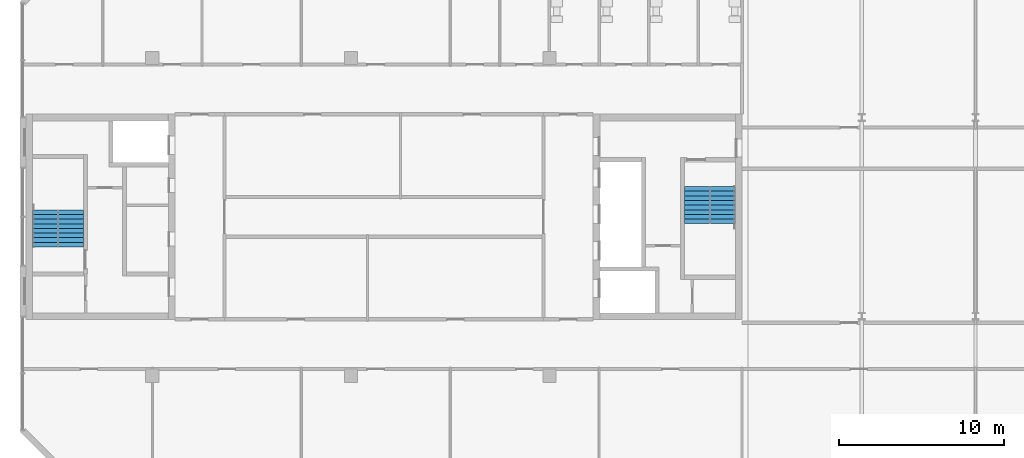
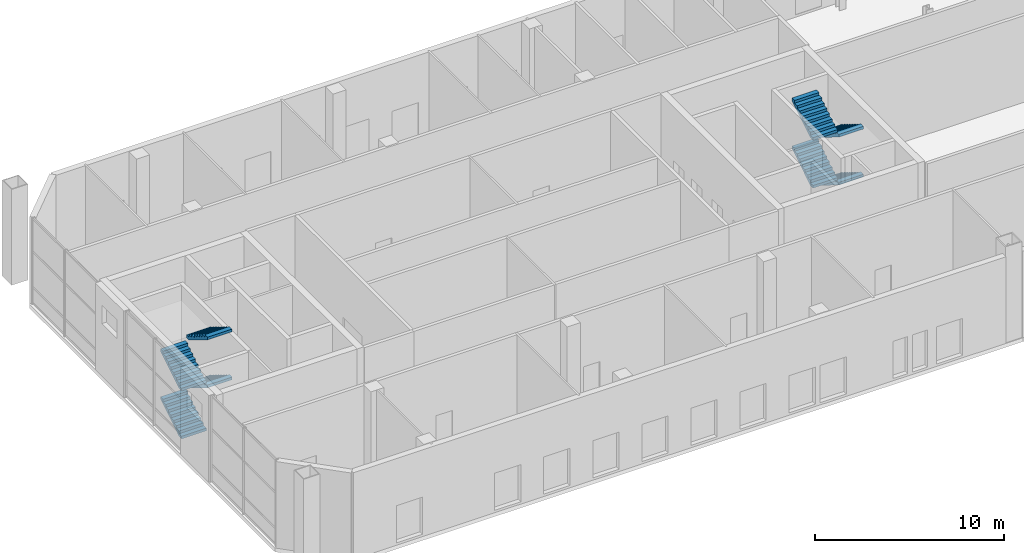
# One storey, part 18 of 20: 8 stair flights, 2 elements without a shape of their own.
"""IFC4 building model written with IfcOpenShell, lengths in metres."""

from ifc_helpers import new_model, si_unit, direction, frame, origin, place, context, subcontext, project, spatial, faceted_brep, material, type_object, element, aggregate, save


model = new_model("IFC4")

# Units and contexts
model_context = context("Model", 3, precision=1e-05, world=origin(), true_north=direction((0.0, 1.0)))
body_context = subcontext(model_context, "Body", "Model", "MODEL_VIEW")
ifc_project = project(units=[si_unit("LENGTHUNIT", "METRE"), si_unit("AREAUNIT", "SQUARE_METRE"), si_unit("VOLUMEUNIT", "CUBIC_METRE"), si_unit("PLANEANGLEUNIT", "RADIAN"), si_unit("MASSUNIT", "GRAM", prefix="KILO")], contexts=[model_context])

# Site, building, storey
site_placement = place(None, origin())
site = spatial("IfcSite", under=ifc_project, at=site_placement, CompositionType="ELEMENT")
building_placement = place(site_placement, origin())
building = spatial("IfcBuilding", under=site, at=building_placement, Name="Tuart Gate Housing", CompositionType="ELEMENT")
storey_placement = place(building_placement, frame((0.0, 0.0, 215.199951171875)))
storey = spatial("IfcBuildingStorey", under=building, at=storey_placement, Name="L61", CompositionType="ELEMENT", Elevation=215.199951171875)

# Stair, stair flights
ifc_material_1 = material(Name="Concrete C40", Category="concrete")
stair_type = type_object("IfcStairType", Name="Core stair 1500", PredefinedType="HALF_TURN_STAIR", material=ifc_material_1)
stair_1_placement = place(storey_placement, origin())
stair_1 = element("IfcStair", 1, at=stair_1_placement, inside=storey, type_object=stair_type, Name="Stair SA1", PredefinedType="HALF_TURN_STAIR")
ifc_material_2 = material(Name="Concrete C40", Category="concrete")
stair_flight_type = type_object("IfcStairFlightType", Name="Stair flight 1500, 9 risers 172 x 280", PredefinedType="STRAIGHT", material=ifc_material_2)
stair_flight_1_placement = place(storey_placement, frame((74.489990234375, 71.824951171875, 0.0), z_axis=(0.0, 0.0, 1.0), x_axis=(0.0, -1.0, 0.0)))
stair_flight_1 = element("IfcStairFlight", 2, at=stair_flight_1_placement, type_object=stair_flight_type, Name="SA1 flight 1", NumberOfRisers=9, NumberOfTreads=8, PredefinedType="STRAIGHT", RiserHeight=0.172222222, TreadLength=0.28, context=body_context, shape_type="Brep", body=[
    faceted_brep([(0.0, 0.75, 0.0), (0.0, 0.75, 0.172119140625), (0.280029296875, 0.75, 0.172119140625), (0.280029296875, 0.75, 0.344482421875), (0.56005859375, 0.75, 0.344482421875), (0.56005859375, 0.75, 0.5166015625), (0.840087890625, 0.75, 0.5166015625), (0.840087890625, 0.75, 0.68896484375), (1.1201171875, 0.75, 0.68896484375), (1.1201171875, 0.75, 0.861083984375), (1.39990234375, 0.75, 0.861083984375), (1.39990234375, 0.75, 1.033447265625), (1.679931640625, 0.75, 1.033447265625), (1.679931640625, 0.75, 1.20556640625), (1.9599609375, 0.75, 1.20556640625), (1.9599609375, 0.75, 1.377685546875), (2.239990234375, 0.75, 1.377685546875), (2.239990234375, 0.75, 1.201904296875), (0.2861328125, 0.75, 0.0), (0.2861328125, -0.75, 0.0), (2.239990234375, -0.75, 1.201904296875), (2.239990234375, -0.75, 1.377685546875), (1.9599609375, -0.75, 1.377685546875), (1.9599609375, -0.75, 1.20556640625), (1.679931640625, -0.75, 1.20556640625), (1.679931640625, -0.75, 1.033447265625), (1.39990234375, -0.75, 1.033447265625), (1.39990234375, -0.75, 0.861083984375), (1.1201171875, -0.75, 0.861083984375), (1.1201171875, -0.75, 0.68896484375), (0.840087890625, -0.75, 0.68896484375), (0.840087890625, -0.75, 0.5166015625), (0.56005859375, -0.75, 0.5166015625), (0.56005859375, -0.75, 0.344482421875), (0.280029296875, -0.75, 0.344482421875), (0.280029296875, -0.75, 0.172119140625), (0.0, -0.75, 0.172119140625), (0.0, -0.75, 0.0), (2.239990234375, 0.0, 1.201904296875), (0.2861328125, 0.0, 0.0), (2.239990234375, 0.0, 1.377685546875), (1.9599609375, 0.0, 1.377685546875), (1.9599609375, 0.0, 1.20556640625), (1.679931640625, 0.0, 1.20556640625), (1.679931640625, 0.0, 1.033447265625), (1.39990234375, 0.0, 1.033447265625), (1.39990234375, 0.0, 0.861083984375), (1.1201171875, 0.0, 0.861083984375), (1.1201171875, 0.0, 0.68896484375), (0.840087890625, 0.0, 0.68896484375), (0.840087890625, 0.0, 0.5166015625), (0.56005859375, 0.0, 0.5166015625), (0.56005859375, 0.0, 0.344482421875), (0.280029296875, 0.0, 0.344482421875), (0.280029296875, 0.0, 0.172119140625), (0.0, 0.0, 0.172119140625), (0.0, 0.0, 0.0)], [[[0, 1, 2, 3, 4, 5, 6, 7, 8, 9, 10, 11, 12, 13, 14, 15, 16, 17, 18]], [[19, 20, 21, 22, 23, 24, 25, 26, 27, 28, 29, 30, 31, 32, 33, 34, 35, 36, 37]], [[18, 17, 38, 39]], [[39, 38, 20, 19]], [[17, 16, 40, 38]], [[38, 40, 21, 20]], [[16, 15, 41, 40]], [[40, 41, 22, 21]], [[15, 14, 42, 41]], [[41, 42, 23, 22]], [[14, 13, 43, 42]], [[42, 43, 24, 23]], [[13, 12, 44, 43]], [[43, 44, 25, 24]], [[12, 11, 45, 44]], [[44, 45, 26, 25]], [[11, 10, 46, 45]], [[45, 46, 27, 26]], [[10, 9, 47, 46]], [[46, 47, 28, 27]], [[9, 8, 48, 47]], [[47, 48, 29, 28]], [[8, 7, 49, 48]], [[48, 49, 30, 29]], [[7, 6, 50, 49]], [[49, 50, 31, 30]], [[6, 5, 51, 50]], [[50, 51, 32, 31]], [[5, 4, 52, 51]], [[51, 52, 33, 32]], [[4, 3, 53, 52]], [[52, 53, 34, 33]], [[3, 2, 54, 53]], [[53, 54, 35, 34]], [[2, 1, 55, 54]], [[54, 55, 36, 35]], [[1, 0, 56, 55]], [[55, 56, 37, 36]], [[0, 18, 39, 56]], [[56, 39, 19, 37]]]),
])
stair_flight_2_placement = place(storey_placement, frame((72.9150390625, 69.5849609375, 1.550048828125), z_axis=(0.0, 0.0, 1.0), x_axis=(0.0, 1.0, 0.0)))
stair_flight_2 = element("IfcStairFlight", 3, at=stair_flight_2_placement, type_object=stair_flight_type, Name="SA1 flight 2", NumberOfRisers=9, NumberOfTreads=8, PredefinedType="STRAIGHT", RiserHeight=0.172222222, TreadLength=0.28, context=body_context, shape_type="Brep", body=[
    faceted_brep([(0.0, 0.75, 0.0), (0.0, 0.75, 0.172119140625), (0.280029296875, 0.75, 0.172119140625), (0.280029296875, 0.75, 0.344482421875), (0.56005859375, 0.75, 0.344482421875), (0.56005859375, 0.75, 0.5166015625), (0.840087890625, 0.75, 0.5166015625), (0.840087890625, 0.75, 0.68896484375), (1.1201171875, 0.75, 0.68896484375), (1.1201171875, 0.75, 0.861083984375), (1.39990234375, 0.75, 0.861083984375), (1.39990234375, 0.75, 1.033447265625), (1.679931640625, 0.75, 1.033447265625), (1.679931640625, 0.75, 1.20556640625), (1.9599609375, 0.75, 1.20556640625), (1.9599609375, 0.75, 1.377685546875), (2.239990234375, 0.75, 1.377685546875), (2.239990234375, 0.75, 1.201904296875), (0.2861328125, 0.75, 0.0), (0.2861328125, -0.75, 0.0), (2.239990234375, -0.75, 1.201904296875), (2.239990234375, -0.75, 1.377685546875), (1.9599609375, -0.75, 1.377685546875), (1.9599609375, -0.75, 1.20556640625), (1.679931640625, -0.75, 1.20556640625), (1.679931640625, -0.75, 1.033447265625), (1.39990234375, -0.75, 1.033447265625), (1.39990234375, -0.75, 0.861083984375), (1.1201171875, -0.75, 0.861083984375), (1.1201171875, -0.75, 0.68896484375), (0.840087890625, -0.75, 0.68896484375), (0.840087890625, -0.75, 0.5166015625), (0.56005859375, -0.75, 0.5166015625), (0.56005859375, -0.75, 0.344482421875), (0.280029296875, -0.75, 0.344482421875), (0.280029296875, -0.75, 0.172119140625), (0.0, -0.75, 0.172119140625), (0.0, -0.75, 0.0), (2.239990234375, 0.0, 1.201904296875), (0.2861328125, 0.0, 0.0), (2.239990234375, 0.0, 1.377685546875), (1.9599609375, 0.0, 1.377685546875), (1.9599609375, 0.0, 1.20556640625), (1.679931640625, 0.0, 1.20556640625), (1.679931640625, 0.0, 1.033447265625), (1.39990234375, 0.0, 1.033447265625), (1.39990234375, 0.0, 0.861083984375), (1.1201171875, 0.0, 0.861083984375), (1.1201171875, 0.0, 0.68896484375), (0.840087890625, 0.0, 0.68896484375), (0.840087890625, 0.0, 0.5166015625), (0.56005859375, 0.0, 0.5166015625), (0.56005859375, 0.0, 0.344482421875), (0.280029296875, 0.0, 0.344482421875), (0.280029296875, 0.0, 0.172119140625), (0.0, 0.0, 0.172119140625), (0.0, 0.0, 0.0)], [[[0, 1, 2, 3, 4, 5, 6, 7, 8, 9, 10, 11, 12, 13, 14, 15, 16, 17, 18]], [[19, 20, 21, 22, 23, 24, 25, 26, 27, 28, 29, 30, 31, 32, 33, 34, 35, 36, 37]], [[18, 17, 38, 39]], [[39, 38, 20, 19]], [[17, 16, 40, 38]], [[38, 40, 21, 20]], [[16, 15, 41, 40]], [[40, 41, 22, 21]], [[15, 14, 42, 41]], [[41, 42, 23, 22]], [[14, 13, 43, 42]], [[42, 43, 24, 23]], [[13, 12, 44, 43]], [[43, 44, 25, 24]], [[12, 11, 45, 44]], [[44, 45, 26, 25]], [[11, 10, 46, 45]], [[45, 46, 27, 26]], [[10, 9, 47, 46]], [[46, 47, 28, 27]], [[9, 8, 48, 47]], [[47, 48, 29, 28]], [[8, 7, 49, 48]], [[48, 49, 30, 29]], [[7, 6, 50, 49]], [[49, 50, 31, 30]], [[6, 5, 51, 50]], [[50, 51, 32, 31]], [[5, 4, 52, 51]], [[51, 52, 33, 32]], [[4, 3, 53, 52]], [[52, 53, 34, 33]], [[3, 2, 54, 53]], [[53, 54, 35, 34]], [[2, 1, 55, 54]], [[54, 55, 36, 35]], [[1, 0, 56, 55]], [[55, 56, 37, 36]], [[0, 18, 39, 56]], [[56, 39, 19, 37]]]),
])
stair_flight_3_placement = place(storey_placement, frame((74.489990234375, 71.824951171875, 3.10009765625), z_axis=(0.0, 0.0, 1.0), x_axis=(0.0, -1.0, 0.0)))
stair_flight_3 = element("IfcStairFlight", 4, at=stair_flight_3_placement, type_object=stair_flight_type, Name="SA1 flight 3", NumberOfRisers=9, NumberOfTreads=8, PredefinedType="STRAIGHT", RiserHeight=0.172222222, TreadLength=0.28, context=body_context, shape_type="Brep", body=[
    faceted_brep([(0.0, 0.75, 0.0), (0.0, 0.75, 0.172119140625), (0.280029296875, 0.75, 0.172119140625), (0.280029296875, 0.75, 0.344482421875), (0.56005859375, 0.75, 0.344482421875), (0.56005859375, 0.75, 0.5166015625), (0.840087890625, 0.75, 0.5166015625), (0.840087890625, 0.75, 0.68896484375), (1.1201171875, 0.75, 0.68896484375), (1.1201171875, 0.75, 0.861083984375), (1.39990234375, 0.75, 0.861083984375), (1.39990234375, 0.75, 1.033447265625), (1.679931640625, 0.75, 1.033447265625), (1.679931640625, 0.75, 1.20556640625), (1.9599609375, 0.75, 1.20556640625), (1.9599609375, 0.75, 1.377685546875), (2.239990234375, 0.75, 1.377685546875), (2.239990234375, 0.75, 1.201904296875), (0.2861328125, 0.75, 0.0), (0.2861328125, -0.75, 0.0), (2.239990234375, -0.75, 1.201904296875), (2.239990234375, -0.75, 1.377685546875), (1.9599609375, -0.75, 1.377685546875), (1.9599609375, -0.75, 1.20556640625), (1.679931640625, -0.75, 1.20556640625), (1.679931640625, -0.75, 1.033447265625), (1.39990234375, -0.75, 1.033447265625), (1.39990234375, -0.75, 0.861083984375), (1.1201171875, -0.75, 0.861083984375), (1.1201171875, -0.75, 0.68896484375), (0.840087890625, -0.75, 0.68896484375), (0.840087890625, -0.75, 0.5166015625), (0.56005859375, -0.75, 0.5166015625), (0.56005859375, -0.75, 0.344482421875), (0.280029296875, -0.75, 0.344482421875), (0.280029296875, -0.75, 0.172119140625), (0.0, -0.75, 0.172119140625), (0.0, -0.75, 0.0), (2.239990234375, 0.0, 1.201904296875), (0.2861328125, 0.0, 0.0), (2.239990234375, 0.0, 1.377685546875), (1.9599609375, 0.0, 1.377685546875), (1.9599609375, 0.0, 1.20556640625), (1.679931640625, 0.0, 1.20556640625), (1.679931640625, 0.0, 1.033447265625), (1.39990234375, 0.0, 1.033447265625), (1.39990234375, 0.0, 0.861083984375), (1.1201171875, 0.0, 0.861083984375), (1.1201171875, 0.0, 0.68896484375), (0.840087890625, 0.0, 0.68896484375), (0.840087890625, 0.0, 0.5166015625), (0.56005859375, 0.0, 0.5166015625), (0.56005859375, 0.0, 0.344482421875), (0.280029296875, 0.0, 0.344482421875), (0.280029296875, 0.0, 0.172119140625), (0.0, 0.0, 0.172119140625), (0.0, 0.0, 0.0)], [[[0, 1, 2, 3, 4, 5, 6, 7, 8, 9, 10, 11, 12, 13, 14, 15, 16, 17, 18]], [[19, 20, 21, 22, 23, 24, 25, 26, 27, 28, 29, 30, 31, 32, 33, 34, 35, 36, 37]], [[18, 17, 38, 39]], [[39, 38, 20, 19]], [[17, 16, 40, 38]], [[38, 40, 21, 20]], [[16, 15, 41, 40]], [[40, 41, 22, 21]], [[15, 14, 42, 41]], [[41, 42, 23, 22]], [[14, 13, 43, 42]], [[42, 43, 24, 23]], [[13, 12, 44, 43]], [[43, 44, 25, 24]], [[12, 11, 45, 44]], [[44, 45, 26, 25]], [[11, 10, 46, 45]], [[45, 46, 27, 26]], [[10, 9, 47, 46]], [[46, 47, 28, 27]], [[9, 8, 48, 47]], [[47, 48, 29, 28]], [[8, 7, 49, 48]], [[48, 49, 30, 29]], [[7, 6, 50, 49]], [[49, 50, 31, 30]], [[6, 5, 51, 50]], [[50, 51, 32, 31]], [[5, 4, 52, 51]], [[51, 52, 33, 32]], [[4, 3, 53, 52]], [[52, 53, 34, 33]], [[3, 2, 54, 53]], [[53, 54, 35, 34]], [[2, 1, 55, 54]], [[54, 55, 36, 35]], [[1, 0, 56, 55]], [[55, 56, 37, 36]], [[0, 18, 39, 56]], [[56, 39, 19, 37]]]),
])
stair_flight_4_placement = place(storey_placement, frame((72.9150390625, 69.5849609375, 4.650146484375), z_axis=(0.0, 0.0, 1.0), x_axis=(0.0, 1.0, 0.0)))
stair_flight_4 = element("IfcStairFlight", 5, at=stair_flight_4_placement, type_object=stair_flight_type, Name="SA1 flight 4", NumberOfRisers=9, NumberOfTreads=8, PredefinedType="STRAIGHT", RiserHeight=0.172222222, TreadLength=0.28, context=body_context, shape_type="Brep", body=[
    faceted_brep([(0.0, 0.75, 0.0), (0.0, 0.75, 0.172119140625), (0.280029296875, 0.75, 0.172119140625), (0.280029296875, 0.75, 0.344482421875), (0.56005859375, 0.75, 0.344482421875), (0.56005859375, 0.75, 0.5166015625), (0.840087890625, 0.75, 0.5166015625), (0.840087890625, 0.75, 0.68896484375), (1.1201171875, 0.75, 0.68896484375), (1.1201171875, 0.75, 0.861083984375), (1.39990234375, 0.75, 0.861083984375), (1.39990234375, 0.75, 1.033447265625), (1.679931640625, 0.75, 1.033447265625), (1.679931640625, 0.75, 1.20556640625), (1.9599609375, 0.75, 1.20556640625), (1.9599609375, 0.75, 1.377685546875), (2.239990234375, 0.75, 1.377685546875), (2.239990234375, 0.75, 1.201904296875), (0.2861328125, 0.75, 0.0), (0.2861328125, -0.75, 0.0), (2.239990234375, -0.75, 1.201904296875), (2.239990234375, -0.75, 1.377685546875), (1.9599609375, -0.75, 1.377685546875), (1.9599609375, -0.75, 1.20556640625), (1.679931640625, -0.75, 1.20556640625), (1.679931640625, -0.75, 1.033447265625), (1.39990234375, -0.75, 1.033447265625), (1.39990234375, -0.75, 0.861083984375), (1.1201171875, -0.75, 0.861083984375), (1.1201171875, -0.75, 0.68896484375), (0.840087890625, -0.75, 0.68896484375), (0.840087890625, -0.75, 0.5166015625), (0.56005859375, -0.75, 0.5166015625), (0.56005859375, -0.75, 0.344482421875), (0.280029296875, -0.75, 0.344482421875), (0.280029296875, -0.75, 0.172119140625), (0.0, -0.75, 0.172119140625), (0.0, -0.75, 0.0), (2.239990234375, 0.0, 1.201904296875), (0.2861328125, 0.0, 0.0), (2.239990234375, 0.0, 1.377685546875), (1.9599609375, 0.0, 1.377685546875), (1.9599609375, 0.0, 1.20556640625), (1.679931640625, 0.0, 1.20556640625), (1.679931640625, 0.0, 1.033447265625), (1.39990234375, 0.0, 1.033447265625), (1.39990234375, 0.0, 0.861083984375), (1.1201171875, 0.0, 0.861083984375), (1.1201171875, 0.0, 0.68896484375), (0.840087890625, 0.0, 0.68896484375), (0.840087890625, 0.0, 0.5166015625), (0.56005859375, 0.0, 0.5166015625), (0.56005859375, 0.0, 0.344482421875), (0.280029296875, 0.0, 0.344482421875), (0.280029296875, 0.0, 0.172119140625), (0.0, 0.0, 0.172119140625), (0.0, 0.0, 0.0)], [[[0, 1, 2, 3, 4, 5, 6, 7, 8, 9, 10, 11, 12, 13, 14, 15, 16, 17, 18]], [[19, 20, 21, 22, 23, 24, 25, 26, 27, 28, 29, 30, 31, 32, 33, 34, 35, 36, 37]], [[18, 17, 38, 39]], [[39, 38, 20, 19]], [[17, 16, 40, 38]], [[38, 40, 21, 20]], [[16, 15, 41, 40]], [[40, 41, 22, 21]], [[15, 14, 42, 41]], [[41, 42, 23, 22]], [[14, 13, 43, 42]], [[42, 43, 24, 23]], [[13, 12, 44, 43]], [[43, 44, 25, 24]], [[12, 11, 45, 44]], [[44, 45, 26, 25]], [[11, 10, 46, 45]], [[45, 46, 27, 26]], [[10, 9, 47, 46]], [[46, 47, 28, 27]], [[9, 8, 48, 47]], [[47, 48, 29, 28]], [[8, 7, 49, 48]], [[48, 49, 30, 29]], [[7, 6, 50, 49]], [[49, 50, 31, 30]], [[6, 5, 51, 50]], [[50, 51, 32, 31]], [[5, 4, 52, 51]], [[51, 52, 33, 32]], [[4, 3, 53, 52]], [[52, 53, 34, 33]], [[3, 2, 54, 53]], [[53, 54, 35, 34]], [[2, 1, 55, 54]], [[54, 55, 36, 35]], [[1, 0, 56, 55]], [[55, 56, 37, 36]], [[0, 18, 39, 56]], [[56, 39, 19, 37]]]),
])
aggregate(stair_1, [stair_flight_1, stair_flight_2, stair_flight_3, stair_flight_4])

stair_2_placement = place(storey_placement, origin())
stair_2 = element("IfcStair", 6, at=stair_2_placement, inside=storey, type_object=stair_type, Name="Stair SA2", PredefinedType="HALF_TURN_STAIR")
stair_flight_5_placement = place(storey_placement, frame((33.510009765625, 68.175048828125, 0.0), z_axis=(0.0, 0.0, 1.0), x_axis=(0.0, 1.0, 0.0)))
stair_flight_5 = element("IfcStairFlight", 7, at=stair_flight_5_placement, type_object=stair_flight_type, Name="SA2 flight 1", NumberOfRisers=9, NumberOfTreads=8, PredefinedType="STRAIGHT", RiserHeight=0.172222222, TreadLength=0.28, context=body_context, shape_type="Brep", body=[
    faceted_brep([(0.0, 0.75, 0.0), (0.0, 0.75, 0.172119140625), (0.280029296875, 0.75, 0.172119140625), (0.280029296875, 0.75, 0.344482421875), (0.56005859375, 0.75, 0.344482421875), (0.56005859375, 0.75, 0.5166015625), (0.840087890625, 0.75, 0.5166015625), (0.840087890625, 0.75, 0.68896484375), (1.1201171875, 0.75, 0.68896484375), (1.1201171875, 0.75, 0.861083984375), (1.39990234375, 0.75, 0.861083984375), (1.39990234375, 0.75, 1.033447265625), (1.679931640625, 0.75, 1.033447265625), (1.679931640625, 0.75, 1.20556640625), (1.9599609375, 0.75, 1.20556640625), (1.9599609375, 0.75, 1.377685546875), (2.239990234375, 0.75, 1.377685546875), (2.239990234375, 0.75, 1.201904296875), (0.2861328125, 0.75, 0.0), (0.2861328125, -0.75, 0.0), (2.239990234375, -0.75, 1.201904296875), (2.239990234375, -0.75, 1.377685546875), (1.9599609375, -0.75, 1.377685546875), (1.9599609375, -0.75, 1.20556640625), (1.679931640625, -0.75, 1.20556640625), (1.679931640625, -0.75, 1.033447265625), (1.39990234375, -0.75, 1.033447265625), (1.39990234375, -0.75, 0.861083984375), (1.1201171875, -0.75, 0.861083984375), (1.1201171875, -0.75, 0.68896484375), (0.840087890625, -0.75, 0.68896484375), (0.840087890625, -0.75, 0.5166015625), (0.56005859375, -0.75, 0.5166015625), (0.56005859375, -0.75, 0.344482421875), (0.280029296875, -0.75, 0.344482421875), (0.280029296875, -0.75, 0.172119140625), (0.0, -0.75, 0.172119140625), (0.0, -0.75, 0.0), (2.239990234375, 0.0, 1.201904296875), (0.2861328125, 0.0, 0.0), (2.239990234375, 0.0, 1.377685546875), (1.9599609375, 0.0, 1.377685546875), (1.9599609375, 0.0, 1.20556640625), (1.679931640625, 0.0, 1.20556640625), (1.679931640625, 0.0, 1.033447265625), (1.39990234375, 0.0, 1.033447265625), (1.39990234375, 0.0, 0.861083984375), (1.1201171875, 0.0, 0.861083984375), (1.1201171875, 0.0, 0.68896484375), (0.840087890625, 0.0, 0.68896484375), (0.840087890625, 0.0, 0.5166015625), (0.56005859375, 0.0, 0.5166015625), (0.56005859375, 0.0, 0.344482421875), (0.280029296875, 0.0, 0.344482421875), (0.280029296875, 0.0, 0.172119140625), (0.0, 0.0, 0.172119140625), (0.0, 0.0, 0.0)], [[[0, 1, 2, 3, 4, 5, 6, 7, 8, 9, 10, 11, 12, 13, 14, 15, 16, 17, 18]], [[19, 20, 21, 22, 23, 24, 25, 26, 27, 28, 29, 30, 31, 32, 33, 34, 35, 36, 37]], [[18, 17, 38, 39]], [[39, 38, 20, 19]], [[17, 16, 40, 38]], [[38, 40, 21, 20]], [[16, 15, 41, 40]], [[40, 41, 22, 21]], [[15, 14, 42, 41]], [[41, 42, 23, 22]], [[14, 13, 43, 42]], [[42, 43, 24, 23]], [[13, 12, 44, 43]], [[43, 44, 25, 24]], [[12, 11, 45, 44]], [[44, 45, 26, 25]], [[11, 10, 46, 45]], [[45, 46, 27, 26]], [[10, 9, 47, 46]], [[46, 47, 28, 27]], [[9, 8, 48, 47]], [[47, 48, 29, 28]], [[8, 7, 49, 48]], [[48, 49, 30, 29]], [[7, 6, 50, 49]], [[49, 50, 31, 30]], [[6, 5, 51, 50]], [[50, 51, 32, 31]], [[5, 4, 52, 51]], [[51, 52, 33, 32]], [[4, 3, 53, 52]], [[52, 53, 34, 33]], [[3, 2, 54, 53]], [[53, 54, 35, 34]], [[2, 1, 55, 54]], [[54, 55, 36, 35]], [[1, 0, 56, 55]], [[55, 56, 37, 36]], [[0, 18, 39, 56]], [[56, 39, 19, 37]]]),
])
stair_flight_6_placement = place(storey_placement, frame((35.0849609375, 70.4150390625, 1.550048828125), z_axis=(0.0, 0.0, 1.0), x_axis=(0.0, -1.0, 0.0)))
stair_flight_6 = element("IfcStairFlight", 8, at=stair_flight_6_placement, type_object=stair_flight_type, Name="SA2 flight 2", NumberOfRisers=9, NumberOfTreads=8, PredefinedType="STRAIGHT", RiserHeight=0.172222222, TreadLength=0.28, context=body_context, shape_type="Brep", body=[
    faceted_brep([(0.0, 0.75, 0.0), (0.0, 0.75, 0.172119140625), (0.280029296875, 0.75, 0.172119140625), (0.280029296875, 0.75, 0.344482421875), (0.56005859375, 0.75, 0.344482421875), (0.56005859375, 0.75, 0.5166015625), (0.840087890625, 0.75, 0.5166015625), (0.840087890625, 0.75, 0.68896484375), (1.1201171875, 0.75, 0.68896484375), (1.1201171875, 0.75, 0.861083984375), (1.39990234375, 0.75, 0.861083984375), (1.39990234375, 0.75, 1.033447265625), (1.679931640625, 0.75, 1.033447265625), (1.679931640625, 0.75, 1.20556640625), (1.9599609375, 0.75, 1.20556640625), (1.9599609375, 0.75, 1.377685546875), (2.239990234375, 0.75, 1.377685546875), (2.239990234375, 0.75, 1.201904296875), (0.2861328125, 0.75, 0.0), (0.2861328125, -0.75, 0.0), (2.239990234375, -0.75, 1.201904296875), (2.239990234375, -0.75, 1.377685546875), (1.9599609375, -0.75, 1.377685546875), (1.9599609375, -0.75, 1.20556640625), (1.679931640625, -0.75, 1.20556640625), (1.679931640625, -0.75, 1.033447265625), (1.39990234375, -0.75, 1.033447265625), (1.39990234375, -0.75, 0.861083984375), (1.1201171875, -0.75, 0.861083984375), (1.1201171875, -0.75, 0.68896484375), (0.840087890625, -0.75, 0.68896484375), (0.840087890625, -0.75, 0.5166015625), (0.56005859375, -0.75, 0.5166015625), (0.56005859375, -0.75, 0.344482421875), (0.280029296875, -0.75, 0.344482421875), (0.280029296875, -0.75, 0.172119140625), (0.0, -0.75, 0.172119140625), (0.0, -0.75, 0.0), (2.239990234375, 0.0, 1.201904296875), (0.2861328125, 0.0, 0.0), (2.239990234375, 0.0, 1.377685546875), (1.9599609375, 0.0, 1.377685546875), (1.9599609375, 0.0, 1.20556640625), (1.679931640625, 0.0, 1.20556640625), (1.679931640625, 0.0, 1.033447265625), (1.39990234375, 0.0, 1.033447265625), (1.39990234375, 0.0, 0.861083984375), (1.1201171875, 0.0, 0.861083984375), (1.1201171875, 0.0, 0.68896484375), (0.840087890625, 0.0, 0.68896484375), (0.840087890625, 0.0, 0.5166015625), (0.56005859375, 0.0, 0.5166015625), (0.56005859375, 0.0, 0.344482421875), (0.280029296875, 0.0, 0.344482421875), (0.280029296875, 0.0, 0.172119140625), (0.0, 0.0, 0.172119140625), (0.0, 0.0, 0.0)], [[[0, 1, 2, 3, 4, 5, 6, 7, 8, 9, 10, 11, 12, 13, 14, 15, 16, 17, 18]], [[19, 20, 21, 22, 23, 24, 25, 26, 27, 28, 29, 30, 31, 32, 33, 34, 35, 36, 37]], [[18, 17, 38, 39]], [[39, 38, 20, 19]], [[17, 16, 40, 38]], [[38, 40, 21, 20]], [[16, 15, 41, 40]], [[40, 41, 22, 21]], [[15, 14, 42, 41]], [[41, 42, 23, 22]], [[14, 13, 43, 42]], [[42, 43, 24, 23]], [[13, 12, 44, 43]], [[43, 44, 25, 24]], [[12, 11, 45, 44]], [[44, 45, 26, 25]], [[11, 10, 46, 45]], [[45, 46, 27, 26]], [[10, 9, 47, 46]], [[46, 47, 28, 27]], [[9, 8, 48, 47]], [[47, 48, 29, 28]], [[8, 7, 49, 48]], [[48, 49, 30, 29]], [[7, 6, 50, 49]], [[49, 50, 31, 30]], [[6, 5, 51, 50]], [[50, 51, 32, 31]], [[5, 4, 52, 51]], [[51, 52, 33, 32]], [[4, 3, 53, 52]], [[52, 53, 34, 33]], [[3, 2, 54, 53]], [[53, 54, 35, 34]], [[2, 1, 55, 54]], [[54, 55, 36, 35]], [[1, 0, 56, 55]], [[55, 56, 37, 36]], [[0, 18, 39, 56]], [[56, 39, 19, 37]]]),
])
stair_flight_7_placement = place(storey_placement, frame((33.510009765625, 68.175048828125, 3.10009765625), z_axis=(0.0, 0.0, 1.0), x_axis=(0.0, 1.0, 0.0)))
stair_flight_7 = element("IfcStairFlight", 9, at=stair_flight_7_placement, type_object=stair_flight_type, Name="SA2 flight 3", NumberOfRisers=9, NumberOfTreads=8, PredefinedType="STRAIGHT", RiserHeight=0.172222222, TreadLength=0.28, context=body_context, shape_type="Brep", body=[
    faceted_brep([(0.0, 0.75, 0.0), (0.0, 0.75, 0.172119140625), (0.280029296875, 0.75, 0.172119140625), (0.280029296875, 0.75, 0.344482421875), (0.56005859375, 0.75, 0.344482421875), (0.56005859375, 0.75, 0.5166015625), (0.840087890625, 0.75, 0.5166015625), (0.840087890625, 0.75, 0.68896484375), (1.1201171875, 0.75, 0.68896484375), (1.1201171875, 0.75, 0.861083984375), (1.39990234375, 0.75, 0.861083984375), (1.39990234375, 0.75, 1.033447265625), (1.679931640625, 0.75, 1.033447265625), (1.679931640625, 0.75, 1.20556640625), (1.9599609375, 0.75, 1.20556640625), (1.9599609375, 0.75, 1.377685546875), (2.239990234375, 0.75, 1.377685546875), (2.239990234375, 0.75, 1.201904296875), (0.2861328125, 0.75, 0.0), (0.2861328125, -0.75, 0.0), (2.239990234375, -0.75, 1.201904296875), (2.239990234375, -0.75, 1.377685546875), (1.9599609375, -0.75, 1.377685546875), (1.9599609375, -0.75, 1.20556640625), (1.679931640625, -0.75, 1.20556640625), (1.679931640625, -0.75, 1.033447265625), (1.39990234375, -0.75, 1.033447265625), (1.39990234375, -0.75, 0.861083984375), (1.1201171875, -0.75, 0.861083984375), (1.1201171875, -0.75, 0.68896484375), (0.840087890625, -0.75, 0.68896484375), (0.840087890625, -0.75, 0.5166015625), (0.56005859375, -0.75, 0.5166015625), (0.56005859375, -0.75, 0.344482421875), (0.280029296875, -0.75, 0.344482421875), (0.280029296875, -0.75, 0.172119140625), (0.0, -0.75, 0.172119140625), (0.0, -0.75, 0.0), (2.239990234375, 0.0, 1.201904296875), (0.2861328125, 0.0, 0.0), (2.239990234375, 0.0, 1.377685546875), (1.9599609375, 0.0, 1.377685546875), (1.9599609375, 0.0, 1.20556640625), (1.679931640625, 0.0, 1.20556640625), (1.679931640625, 0.0, 1.033447265625), (1.39990234375, 0.0, 1.033447265625), (1.39990234375, 0.0, 0.861083984375), (1.1201171875, 0.0, 0.861083984375), (1.1201171875, 0.0, 0.68896484375), (0.840087890625, 0.0, 0.68896484375), (0.840087890625, 0.0, 0.5166015625), (0.56005859375, 0.0, 0.5166015625), (0.56005859375, 0.0, 0.344482421875), (0.280029296875, 0.0, 0.344482421875), (0.280029296875, 0.0, 0.172119140625), (0.0, 0.0, 0.172119140625), (0.0, 0.0, 0.0)], [[[0, 1, 2, 3, 4, 5, 6, 7, 8, 9, 10, 11, 12, 13, 14, 15, 16, 17, 18]], [[19, 20, 21, 22, 23, 24, 25, 26, 27, 28, 29, 30, 31, 32, 33, 34, 35, 36, 37]], [[18, 17, 38, 39]], [[39, 38, 20, 19]], [[17, 16, 40, 38]], [[38, 40, 21, 20]], [[16, 15, 41, 40]], [[40, 41, 22, 21]], [[15, 14, 42, 41]], [[41, 42, 23, 22]], [[14, 13, 43, 42]], [[42, 43, 24, 23]], [[13, 12, 44, 43]], [[43, 44, 25, 24]], [[12, 11, 45, 44]], [[44, 45, 26, 25]], [[11, 10, 46, 45]], [[45, 46, 27, 26]], [[10, 9, 47, 46]], [[46, 47, 28, 27]], [[9, 8, 48, 47]], [[47, 48, 29, 28]], [[8, 7, 49, 48]], [[48, 49, 30, 29]], [[7, 6, 50, 49]], [[49, 50, 31, 30]], [[6, 5, 51, 50]], [[50, 51, 32, 31]], [[5, 4, 52, 51]], [[51, 52, 33, 32]], [[4, 3, 53, 52]], [[52, 53, 34, 33]], [[3, 2, 54, 53]], [[53, 54, 35, 34]], [[2, 1, 55, 54]], [[54, 55, 36, 35]], [[1, 0, 56, 55]], [[55, 56, 37, 36]], [[0, 18, 39, 56]], [[56, 39, 19, 37]]]),
])
stair_flight_8_placement = place(storey_placement, frame((35.0849609375, 70.4150390625, 4.650146484375), z_axis=(0.0, 0.0, 1.0), x_axis=(0.0, -1.0, 0.0)))
stair_flight_8 = element("IfcStairFlight", 10, at=stair_flight_8_placement, type_object=stair_flight_type, Name="SA2 flight 4", NumberOfRisers=9, NumberOfTreads=8, PredefinedType="STRAIGHT", RiserHeight=0.172222222, TreadLength=0.28, context=body_context, shape_type="Brep", body=[
    faceted_brep([(0.0, 0.75, 0.0), (0.0, 0.75, 0.172119140625), (0.280029296875, 0.75, 0.172119140625), (0.280029296875, 0.75, 0.344482421875), (0.56005859375, 0.75, 0.344482421875), (0.56005859375, 0.75, 0.5166015625), (0.840087890625, 0.75, 0.5166015625), (0.840087890625, 0.75, 0.68896484375), (1.1201171875, 0.75, 0.68896484375), (1.1201171875, 0.75, 0.861083984375), (1.39990234375, 0.75, 0.861083984375), (1.39990234375, 0.75, 1.033447265625), (1.679931640625, 0.75, 1.033447265625), (1.679931640625, 0.75, 1.20556640625), (1.9599609375, 0.75, 1.20556640625), (1.9599609375, 0.75, 1.377685546875), (2.239990234375, 0.75, 1.377685546875), (2.239990234375, 0.75, 1.201904296875), (0.2861328125, 0.75, 0.0), (0.2861328125, -0.75, 0.0), (2.239990234375, -0.75, 1.201904296875), (2.239990234375, -0.75, 1.377685546875), (1.9599609375, -0.75, 1.377685546875), (1.9599609375, -0.75, 1.20556640625), (1.679931640625, -0.75, 1.20556640625), (1.679931640625, -0.75, 1.033447265625), (1.39990234375, -0.75, 1.033447265625), (1.39990234375, -0.75, 0.861083984375), (1.1201171875, -0.75, 0.861083984375), (1.1201171875, -0.75, 0.68896484375), (0.840087890625, -0.75, 0.68896484375), (0.840087890625, -0.75, 0.5166015625), (0.56005859375, -0.75, 0.5166015625), (0.56005859375, -0.75, 0.344482421875), (0.280029296875, -0.75, 0.344482421875), (0.280029296875, -0.75, 0.172119140625), (0.0, -0.75, 0.172119140625), (0.0, -0.75, 0.0), (2.239990234375, 0.0, 1.201904296875), (0.2861328125, 0.0, 0.0), (2.239990234375, 0.0, 1.377685546875), (1.9599609375, 0.0, 1.377685546875), (1.9599609375, 0.0, 1.20556640625), (1.679931640625, 0.0, 1.20556640625), (1.679931640625, 0.0, 1.033447265625), (1.39990234375, 0.0, 1.033447265625), (1.39990234375, 0.0, 0.861083984375), (1.1201171875, 0.0, 0.861083984375), (1.1201171875, 0.0, 0.68896484375), (0.840087890625, 0.0, 0.68896484375), (0.840087890625, 0.0, 0.5166015625), (0.56005859375, 0.0, 0.5166015625), (0.56005859375, 0.0, 0.344482421875), (0.280029296875, 0.0, 0.344482421875), (0.280029296875, 0.0, 0.172119140625), (0.0, 0.0, 0.172119140625), (0.0, 0.0, 0.0)], [[[0, 1, 2, 3, 4, 5, 6, 7, 8, 9, 10, 11, 12, 13, 14, 15, 16, 17, 18]], [[19, 20, 21, 22, 23, 24, 25, 26, 27, 28, 29, 30, 31, 32, 33, 34, 35, 36, 37]], [[18, 17, 38, 39]], [[39, 38, 20, 19]], [[17, 16, 40, 38]], [[38, 40, 21, 20]], [[16, 15, 41, 40]], [[40, 41, 22, 21]], [[15, 14, 42, 41]], [[41, 42, 23, 22]], [[14, 13, 43, 42]], [[42, 43, 24, 23]], [[13, 12, 44, 43]], [[43, 44, 25, 24]], [[12, 11, 45, 44]], [[44, 45, 26, 25]], [[11, 10, 46, 45]], [[45, 46, 27, 26]], [[10, 9, 47, 46]], [[46, 47, 28, 27]], [[9, 8, 48, 47]], [[47, 48, 29, 28]], [[8, 7, 49, 48]], [[48, 49, 30, 29]], [[7, 6, 50, 49]], [[49, 50, 31, 30]], [[6, 5, 51, 50]], [[50, 51, 32, 31]], [[5, 4, 52, 51]], [[51, 52, 33, 32]], [[4, 3, 53, 52]], [[52, 53, 34, 33]], [[3, 2, 54, 53]], [[53, 54, 35, 34]], [[2, 1, 55, 54]], [[54, 55, 36, 35]], [[1, 0, 56, 55]], [[55, 56, 37, 36]], [[0, 18, 39, 56]], [[56, 39, 19, 37]]]),
])
aggregate(stair_2, [stair_flight_5, stair_flight_6, stair_flight_7, stair_flight_8])

save(model, "model.ifc")
